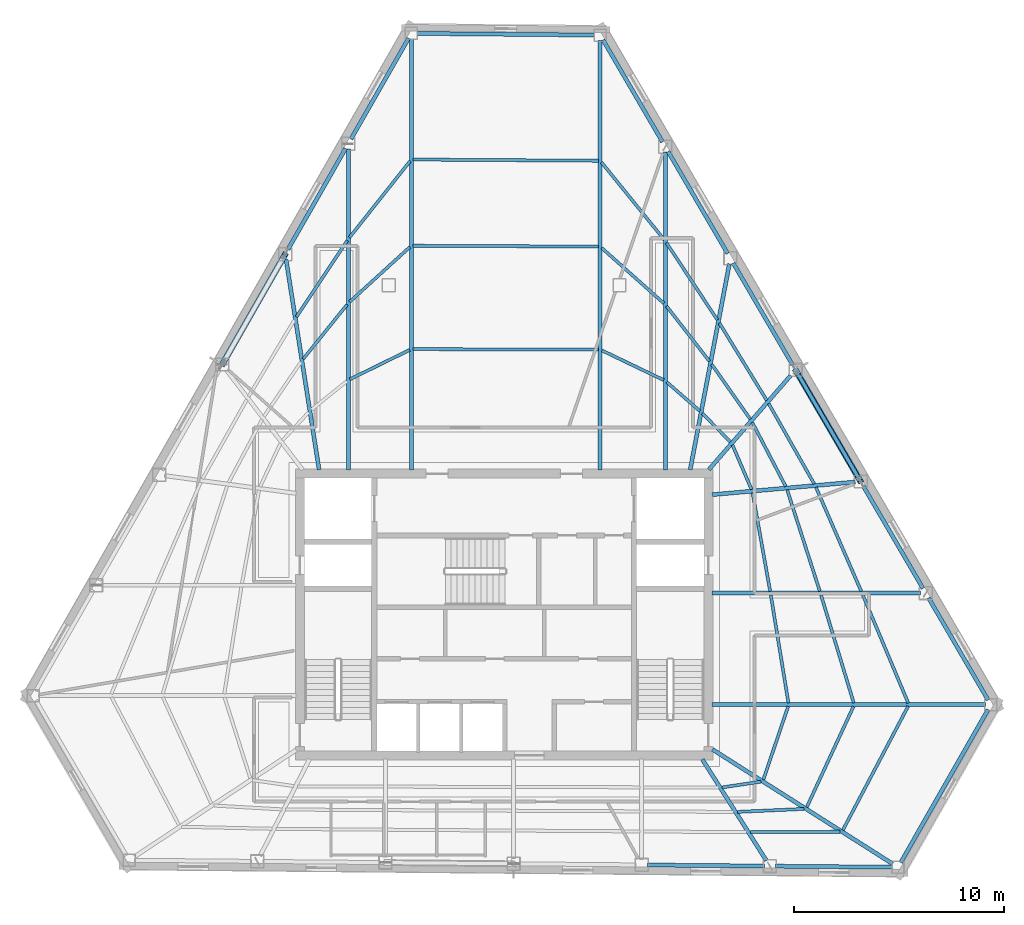
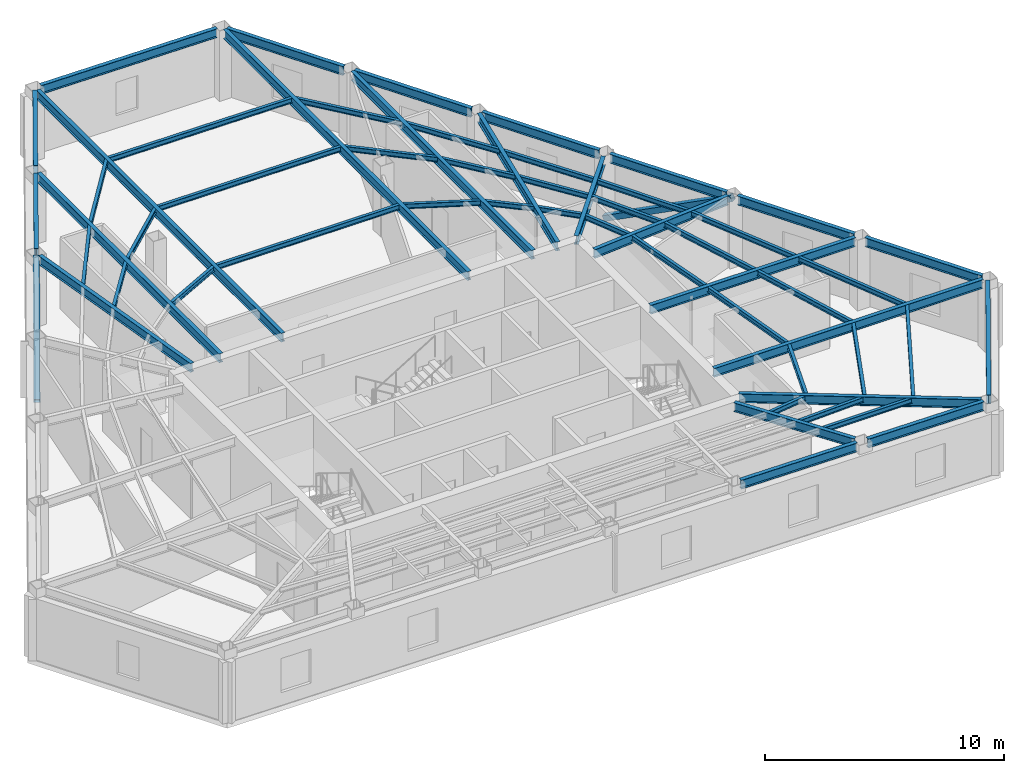
# One storey, part 2 of 11: 56 beams, 2 members.
"""IFC4 building model written with IfcOpenShell, lengths in metres."""

from ifc_helpers import new_model, si_unit, direction, frame, origin, origin_2d, place, context, subcontext, project, spatial, hollow_rectangle, i_section, extrude, material, material_profile, profile_set, type_object, element, save


model = new_model("IFC4")

# Units and contexts
model_context = context("Model", 3, precision=1e-05, world=origin(), true_north=direction((0.0, 1.0)))
body_context = subcontext(model_context, "Body", "Model", "MODEL_VIEW")
ifc_project = project(units=[si_unit("LENGTHUNIT", "METRE"), si_unit("AREAUNIT", "SQUARE_METRE"), si_unit("VOLUMEUNIT", "CUBIC_METRE"), si_unit("PLANEANGLEUNIT", "RADIAN"), si_unit("MASSUNIT", "GRAM", prefix="KILO")], contexts=[model_context])

# Site, building, storey
site_placement = place(None, origin())
site = spatial("IfcSite", under=ifc_project, at=site_placement, CompositionType="ELEMENT")
building_placement = place(site_placement, origin())
building = spatial("IfcBuilding", under=site, at=building_placement, Name="Kavelnor Concourse Tower", CompositionType="ELEMENT")
storey_placement = place(building_placement, frame((0.0, 0.0, 184.25)))
storey = spatial("IfcBuildingStorey", under=building, at=storey_placement, Name="L46", CompositionType="ELEMENT", Elevation=184.25)

# Beams
ifc_material = material(Name="Steel Grade 350", Category="steel")
ifc_material_profile_1 = material_profile(ifc_material, i_section(OverallWidth=0.14599609375, OverallDepth=0.256103515625, WebThickness=0.00634765625, FlangeThickness=0.010986328125, at=origin_2d()), Name="250UB37")
ifc_profile_set_1 = profile_set([ifc_material_profile_1], Name="Steel Grade 350")
beam_type_1 = type_object("IfcBeamType", Name="BM-JOIST-250", PredefinedType="JOIST", material=ifc_profile_set_1)
beam_1_placement = place(storey_placement, frame((48.389892578125, 7.85595703125, 3.471923828125), z_axis=(0.989227943882, 0.146383315454, 0.0), x_axis=(-0.146383315454, 0.989227943882, 0.0)))
element("IfcBeam", 1, at=beam_1_placement, inside=storey, type_object=beam_type_1, Name="L46 Secondary Composite Joist 07-1", PredefinedType="JOIST", context=body_context, shape_type="SweptSolid", body=[
    extrude(i_section(OverallWidth=0.14599609375, OverallDepth=0.256103515625, WebThickness=0.00634765625, FlangeThickness=0.010986328125, at=origin_2d()), origin(), (0.0, 0.0, 1.0), 1.873046875),
])
beam_2_placement = place(storey_placement, frame((49.12353515625, 6.689208984375, 3.471923828125), z_axis=(0.999016375908, 0.044342763421, 0.0), x_axis=(-0.044342763421, 0.999016375908, 0.0)))
element("IfcBeam", 2, at=beam_2_placement, inside=storey, type_object=beam_type_1, Name="L46 Secondary Composite Joist 07-2", PredefinedType="JOIST", context=body_context, shape_type="SweptSolid", body=[
    extrude(i_section(OverallWidth=0.14599609375, OverallDepth=0.256103515625, WebThickness=0.00634765625, FlangeThickness=0.010986328125, at=origin_2d()), origin(), (0.0, 0.0, 1.0), 3.182373046875),
])
beam_3_placement = place(storey_placement, frame((49.734619140625, 5.720703125, 3.471923828125), z_axis=(0.999986266396, 0.005240898742, 0.0), x_axis=(-0.005240898742, 0.999986266396, 0.0)))
element("IfcBeam", 3, at=beam_3_placement, inside=storey, type_object=beam_type_1, Name="L46 Secondary Composite Joist 07-3", PredefinedType="JOIST", context=body_context, shape_type="SweptSolid", body=[
    extrude(i_section(OverallWidth=0.14599609375, OverallDepth=0.256103515625, WebThickness=0.00634765625, FlangeThickness=0.010986328125, at=origin_2d()), origin(), (0.0, 0.0, 1.0), 4.28564453125),
])
beam_4_placement = place(storey_placement, frame((50.359130859375, 8.2275390625, 3.471923828125), z_axis=(0.320581527689, 0.947220926766, 0.0), x_axis=(-0.947220926766, 0.320581527689, 0.0)))
element("IfcBeam", 4, at=beam_4_placement, inside=storey, type_object=beam_type_1, Name="L46 Secondary Composite Joist 08-1", PredefinedType="JOIST", context=body_context, shape_type="SweptSolid", body=[
    extrude(i_section(OverallWidth=0.14599609375, OverallDepth=0.256103515625, WebThickness=0.00634765625, FlangeThickness=0.010986328125, at=origin_2d()), origin(), (0.0, 0.0, 1.0), 3.681396484375),
])
beam_5_placement = place(storey_placement, frame((52.42919921875, 6.9150390625, 3.471923828125), z_axis=(0.420756326642, 0.907173695381, 0.0), x_axis=(-0.907173695381, 0.420756326642, 0.0)))
element("IfcBeam", 5, at=beam_5_placement, inside=storey, type_object=beam_type_1, Name="L46 Secondary Composite Joist 08-2", PredefinedType="JOIST", context=body_context, shape_type="SweptSolid", body=[
    extrude(i_section(OverallWidth=0.14599609375, OverallDepth=0.256103515625, WebThickness=0.00634765625, FlangeThickness=0.010986328125, at=origin_2d()), origin(), (0.0, 0.0, 1.0), 5.294677734375),
])
beam_6_placement = place(storey_placement, frame((54.150634765625, 5.822265625, 3.471923828125), z_axis=(0.466184079045, 0.884687744035, 0.0), x_axis=(-0.884687744035, 0.466184079045, 0.0)))
element("IfcBeam", 6, at=beam_6_placement, inside=storey, type_object=beam_type_1, Name="L46 Secondary Composite Joist 08-3", PredefinedType="JOIST", context=body_context, shape_type="SweptSolid", body=[
    extrude(i_section(OverallWidth=0.14599609375, OverallDepth=0.256103515625, WebThickness=0.00634765625, FlangeThickness=0.010986328125, at=origin_2d()), origin(), (0.0, 0.0, 1.0), 6.666748046875),
])
beam_7_placement = place(storey_placement, frame((51.553466796875, 11.88671875, 3.471923828125), z_axis=(-0.161209150441, 0.986920265175, 0.0), x_axis=(-0.986920265175, -0.161209150441, 0.0)))
element("IfcBeam", 7, at=beam_7_placement, inside=storey, type_object=beam_type_1, Name="L46 Secondary Composite Joist 09-1", PredefinedType="JOIST", context=body_context, shape_type="SweptSolid", body=[
    extrude(i_section(OverallWidth=0.14599609375, OverallDepth=0.256103515625, WebThickness=0.00634765625, FlangeThickness=0.010986328125, at=origin_2d()), origin(), (0.0, 0.0, 1.0), 5.214111328125),
])
beam_8_placement = place(storey_placement, frame((54.668701171875, 11.88427734375, 3.471923828125), z_axis=(-0.290367397807, 0.956915238822, 0.0), x_axis=(-0.956915238822, -0.290367397807, 0.0)))
element("IfcBeam", 8, at=beam_8_placement, inside=storey, type_object=beam_type_1, Name="L46 Secondary Composite Joist 09-2", PredefinedType="JOIST", context=body_context, shape_type="SweptSolid", body=[
    extrude(i_section(OverallWidth=0.14599609375, OverallDepth=0.256103515625, WebThickness=0.00634765625, FlangeThickness=0.010986328125, at=origin_2d()), origin(), (0.0, 0.0, 1.0), 5.3828125),
])
beam_9_placement = place(storey_placement, frame((57.265380859375, 11.881103515625, 3.471923828125), z_axis=(-0.387266616927, 0.921967769184, 0.0), x_axis=(-0.921967769184, -0.387266616927, 0.0)))
element("IfcBeam", 9, at=beam_9_placement, inside=storey, type_object=beam_type_1, Name="L46 Secondary Composite Joist 09-3", PredefinedType="JOIST", context=body_context, shape_type="SweptSolid", body=[
    extrude(i_section(OverallWidth=0.14599609375, OverallDepth=0.256103515625, WebThickness=0.00634765625, FlangeThickness=0.010986328125, at=origin_2d()), origin(), (0.0, 0.0, 1.0), 5.59375),
])
beam_10_placement = place(storey_placement, frame((50.682861328125, 17.2080078125, 3.471923828125), z_axis=(-0.175925472427, 0.98440348849, 0.0), x_axis=(-0.98440348849, -0.175925472427, 0.0)))
element("IfcBeam", 10, at=beam_10_placement, inside=storey, type_object=beam_type_1, Name="L46 Secondary Composite Joist 10-1", PredefinedType="JOIST", context=body_context, shape_type="SweptSolid", body=[
    extrude(i_section(OverallWidth=0.14599609375, OverallDepth=0.256103515625, WebThickness=0.00634765625, FlangeThickness=0.010986328125, at=origin_2d()), origin(), (0.0, 0.0, 1.0), 4.7626953125),
])
beam_11_placement = place(storey_placement, frame((53.052734375, 17.205078125, 3.471923828125), z_axis=(-0.306790920169, 0.951776933584, 0.0), x_axis=(-0.951776933584, -0.306790920169, 0.0)))
element("IfcBeam", 11, at=beam_11_placement, inside=storey, type_object=beam_type_1, Name="L46 Secondary Composite Joist 10-2", PredefinedType="JOIST", context=body_context, shape_type="SweptSolid", body=[
    extrude(i_section(OverallWidth=0.14599609375, OverallDepth=0.256103515625, WebThickness=0.00634765625, FlangeThickness=0.010986328125, at=origin_2d()), origin(), (0.0, 0.0, 1.0), 5.084228515625),
])
beam_12_placement = place(storey_placement, frame((55.029052734375, 17.201904296875, 3.471923828125), z_axis=(-0.399508707587, 0.916729399857, 0.0), x_axis=(-0.916729399857, -0.399508707587, 0.0)))
element("IfcBeam", 12, at=beam_12_placement, inside=storey, type_object=beam_type_1, Name="L46 Secondary Composite Joist 10-3", PredefinedType="JOIST", context=body_context, shape_type="SweptSolid", body=[
    extrude(i_section(OverallWidth=0.14599609375, OverallDepth=0.256103515625, WebThickness=0.00634765625, FlangeThickness=0.010986328125, at=origin_2d()), origin(), (0.0, 0.0, 1.0), 5.41748046875),
])
beam_13_placement = place(storey_placement, frame((49.794189453125, 22.06591796875, 3.471923828125), z_axis=(-0.394098342006, 0.919068276478, 0.0), x_axis=(-0.919068276478, -0.394098342006, 0.0)))
element("IfcBeam", 13, at=beam_13_placement, inside=storey, type_object=beam_type_1, Name="L46 Secondary Composite Joist 11-1", PredefinedType="JOIST", context=body_context, shape_type="SweptSolid", body=[
    extrude(i_section(OverallWidth=0.14599609375, OverallDepth=0.256103515625, WebThickness=0.00634765625, FlangeThickness=0.010986328125, at=origin_2d()), origin(), (0.0, 0.0, 1.0), 2.303955078125),
])
beam_14_placement = place(storey_placement, frame((51.42431640625, 22.2080078125, 3.471923828125), z_axis=(-0.463096135984, 0.88630805527, 0.0), x_axis=(-0.88630805527, -0.463096135984, 0.0)))
element("IfcBeam", 14, at=beam_14_placement, inside=storey, type_object=beam_type_1, Name="L46 Secondary Composite Joist 11-2", PredefinedType="JOIST", context=body_context, shape_type="SweptSolid", body=[
    extrude(i_section(OverallWidth=0.14599609375, OverallDepth=0.256103515625, WebThickness=0.00634765625, FlangeThickness=0.010986328125, at=origin_2d()), origin(), (0.0, 0.0, 1.0), 3.4462890625),
])
beam_15_placement = place(storey_placement, frame((52.785400390625, 22.3271484375, 3.471923828125), z_axis=(-0.493356370439, 0.869827276962, 0.0), x_axis=(-0.869827276962, -0.493356370439, 0.0)))
element("IfcBeam", 15, at=beam_15_placement, inside=storey, type_object=beam_type_1, Name="L46 Secondary Composite Joist 11-3", PredefinedType="JOIST", context=body_context, shape_type="SweptSolid", body=[
    extrude(i_section(OverallWidth=0.14599609375, OverallDepth=0.256103515625, WebThickness=0.00634765625, FlangeThickness=0.010986328125, at=origin_2d()), origin(), (0.0, 0.0, 1.0), 4.4072265625),
])
beam_16_placement = place(storey_placement, frame((48.788818359375, 24.32861328125, 3.471923828125), z_axis=(-0.700669571073, 0.713485915889, 0.0), x_axis=(-0.713485915889, -0.700669571073, 0.0)))
element("IfcBeam", 16, at=beam_16_placement, inside=storey, type_object=beam_type_1, Name="L46 Secondary Composite Joist 12-1", PredefinedType="JOIST", context=body_context, shape_type="SweptSolid", body=[
    extrude(i_section(OverallWidth=0.14599609375, OverallDepth=0.256103515625, WebThickness=0.00634765625, FlangeThickness=0.010986328125, at=origin_2d()), origin(), (0.0, 0.0, 1.0), 1.905029296875),
])
beam_17_placement = place(storey_placement, frame((49.73583984375, 25.4140625, 3.471923828125), z_axis=(-0.57523488902, 0.8179882777, 0.0), x_axis=(-0.8179882777, -0.57523488902, 0.0)))
element("IfcBeam", 17, at=beam_17_placement, inside=storey, type_object=beam_type_1, Name="L46 Secondary Composite Joist 12-2", PredefinedType="JOIST", context=body_context, shape_type="SweptSolid", body=[
    extrude(i_section(OverallWidth=0.14599609375, OverallDepth=0.256103515625, WebThickness=0.00634765625, FlangeThickness=0.010986328125, at=origin_2d()), origin(), (0.0, 0.0, 1.0), 3.205322265625),
])
beam_18_placement = place(storey_placement, frame((50.5205078125, 26.31396484375, 3.471923828125), z_axis=(-0.52274753306, 0.852487546348, 0.0), x_axis=(-0.852487546348, -0.52274753306, 0.0)))
element("IfcBeam", 18, at=beam_18_placement, inside=storey, type_object=beam_type_1, Name="L46 Secondary Composite Joist 12-3", PredefinedType="JOIST", context=body_context, shape_type="SweptSolid", body=[
    extrude(i_section(OverallWidth=0.14599609375, OverallDepth=0.256103515625, WebThickness=0.00634765625, FlangeThickness=0.010986328125, at=origin_2d()), origin(), (0.0, 0.0, 1.0), 4.321044921875),
])
beam_19_placement = place(storey_placement, frame((47.32470703125, 25.809814453125, 3.471923828125), z_axis=(-0.753532081517, 0.657411136295, 0.0), x_axis=(-0.657411136295, -0.753532081517, 0.0)))
element("IfcBeam", 19, at=beam_19_placement, inside=storey, type_object=beam_type_1, Name="L46 Secondary Composite Joist 13-1", PredefinedType="JOIST", context=body_context, shape_type="SweptSolid", body=[
    extrude(i_section(OverallWidth=0.14599609375, OverallDepth=0.256103515625, WebThickness=0.00634765625, FlangeThickness=0.010986328125, at=origin_2d()), origin(), (0.0, 0.0, 1.0), 2.087890625),
])
beam_20_placement = place(storey_placement, frame((47.786376953125, 28.178955078125, 3.471923828125), z_axis=(-0.614757382172, 0.788716274122, 0.0), x_axis=(-0.788716274122, -0.614757382172, 0.0)))
element("IfcBeam", 20, at=beam_20_placement, inside=storey, type_object=beam_type_1, Name="L46 Secondary Composite Joist 13-2", PredefinedType="JOIST", context=body_context, shape_type="SweptSolid", body=[
    extrude(i_section(OverallWidth=0.14599609375, OverallDepth=0.256103515625, WebThickness=0.00634765625, FlangeThickness=0.010986328125, at=origin_2d()), origin(), (0.0, 0.0, 1.0), 3.330322265625),
])
beam_21_placement = place(storey_placement, frame((48.166259765625, 30.147705078125, 3.471923828125), z_axis=(-0.551159632026, 0.834399820245, 0.0), x_axis=(-0.834399820245, -0.551159632026, 0.0)))
element("IfcBeam", 21, at=beam_21_placement, inside=storey, type_object=beam_type_1, Name="L46 Secondary Composite Joist 13-3", PredefinedType="JOIST", context=body_context, shape_type="SweptSolid", body=[
    extrude(i_section(OverallWidth=0.14599609375, OverallDepth=0.256103515625, WebThickness=0.00634765625, FlangeThickness=0.010986328125, at=origin_2d()), origin(), (0.0, 0.0, 1.0), 4.4140625),
])
beam_22_placement = place(storey_placement, frame((45.604248046875, 27.279296875, 3.471923828125), z_axis=(-0.901546386745, 0.432682461566, 0.0), x_axis=(-0.432682461566, -0.901546386745, 0.0)))
element("IfcBeam", 22, at=beam_22_placement, inside=storey, type_object=beam_type_1, Name="L46 Secondary Composite Joist 14-1", PredefinedType="JOIST", context=body_context, shape_type="SweptSolid", body=[
    extrude(i_section(OverallWidth=0.14599609375, OverallDepth=0.256103515625, WebThickness=0.00634765625, FlangeThickness=0.010986328125, at=origin_2d()), origin(), (0.0, 0.0, 1.0), 3.265869140625),
])
beam_23_placement = place(storey_placement, frame((45.617919921875, 30.93505859375, 3.471923828125), z_axis=(-0.74653909745, 0.665341548364, 0.0), x_axis=(-0.665341548364, -0.74653909745, 0.0)))
element("IfcBeam", 23, at=beam_23_placement, inside=storey, type_object=beam_type_1, Name="L46 Secondary Composite Joist 14-2", PredefinedType="JOIST", context=body_context, shape_type="SweptSolid", body=[
    extrude(i_section(OverallWidth=0.14599609375, OverallDepth=0.256103515625, WebThickness=0.00634765625, FlangeThickness=0.010986328125, at=origin_2d()), origin(), (0.0, 0.0, 1.0), 3.98095703125),
])
beam_24_placement = place(storey_placement, frame((45.62841796875, 33.974365234375, 3.471923828125), z_axis=(-0.629580825631, 0.776934993418, 0.0), x_axis=(-0.776934993418, -0.629580825631, 0.0)))
element("IfcBeam", 24, at=beam_24_placement, inside=storey, type_object=beam_type_1, Name="L46 Secondary Composite Joist 14-3", PredefinedType="JOIST", context=body_context, shape_type="SweptSolid", body=[
    extrude(i_section(OverallWidth=0.14599609375, OverallDepth=0.256103515625, WebThickness=0.00634765625, FlangeThickness=0.010986328125, at=origin_2d()), origin(), (0.0, 0.0, 1.0), 4.75341796875),
])
for number, where, z_axis, x_axis, name in (
    (25, (42.49072265625, 28.731201171875, 3.471923828125), (-0.999996693772, 0.00257146747, 0.0), (-0.00257146747, -0.999996693772, 0.0), "L46 Secondary Composite Joist 15-1"),
    (26, (42.49072265625, 33.6435546875, 3.471923828125), (-0.999988691147, 0.004755794251, 0.0), (-0.004755794251, -0.999988691147, 0.0), "L46 Secondary Composite Joist 15-2"),
):
    element("IfcBeam", number, at=place(storey_placement, frame(where, z_axis=z_axis, x_axis=x_axis)), inside=storey, type_object=beam_type_1, Name=name, PredefinedType="JOIST", context=body_context, shape_type="SweptSolid", body=[
        extrude(i_section(OverallWidth=0.14599609375, OverallDepth=0.256103515625, WebThickness=0.00634765625, FlangeThickness=0.010986328125, at=origin_2d()), origin(), (0.0, 0.0, 1.0), 8.82958984375),
    ])
beam_25_placement = place(storey_placement, frame((42.49072265625, 37.737060546875, 3.471923828125), z_axis=(-0.999978165129, 0.006608272451, 0.0), x_axis=(-0.006608272451, -0.999978165129, 0.0)))
element("IfcBeam", 27, at=beam_25_placement, inside=storey, type_object=beam_type_1, Name="L46 Secondary Composite Joist 15-3", PredefinedType="JOIST", context=body_context, shape_type="SweptSolid", body=[
    extrude(i_section(OverallWidth=0.14599609375, OverallDepth=0.256103515625, WebThickness=0.00634765625, FlangeThickness=0.010986328125, at=origin_2d()), origin(), (0.0, 0.0, 1.0), 8.829833984375),
])
beam_26_placement = place(storey_placement, frame((33.4921875, 28.71484375, 3.471923828125), z_axis=(-0.897911769378, -0.440175481386, 0.0), x_axis=(0.440175481386, -0.897911769378, 0.0)))
element("IfcBeam", 28, at=beam_26_placement, inside=storey, type_object=beam_type_1, Name="L46 Secondary Composite Joist 16-1", PredefinedType="JOIST", context=body_context, shape_type="SweptSolid", body=[
    extrude(i_section(OverallWidth=0.14599609375, OverallDepth=0.256103515625, WebThickness=0.00634765625, FlangeThickness=0.010986328125, at=origin_2d()), origin(), (0.0, 0.0, 1.0), 3.169677734375),
])
beam_27_placement = place(storey_placement, frame((33.50634765625, 33.626220703125, 3.471923828125), z_axis=(-0.739459615464, -0.673200918818, 0.0), x_axis=(0.673200918818, -0.739459615464, 0.0)))
element("IfcBeam", 29, at=beam_27_placement, inside=storey, type_object=beam_type_1, Name="L46 Secondary Composite Joist 16-2", PredefinedType="JOIST", context=body_context, shape_type="SweptSolid", body=[
    extrude(i_section(OverallWidth=0.14599609375, OverallDepth=0.256103515625, WebThickness=0.00634765625, FlangeThickness=0.010986328125, at=origin_2d()), origin(), (0.0, 0.0, 1.0), 3.88720703125),
])
beam_28_placement = place(storey_placement, frame((33.516845703125, 37.726318359375, 3.471923828125), z_axis=(-0.6214945386, -0.783418495116, 0.0), x_axis=(0.783418495116, -0.6214945386, 0.0)))
element("IfcBeam", 30, at=beam_28_placement, inside=storey, type_object=beam_type_1, Name="L46 Secondary Composite Joist 16-3", PredefinedType="JOIST", context=body_context, shape_type="SweptSolid", body=[
    extrude(i_section(OverallWidth=0.14599609375, OverallDepth=0.256103515625, WebThickness=0.00634765625, FlangeThickness=0.010986328125, at=origin_2d()), origin(), (0.0, 0.0, 1.0), 4.658935546875),
])
beam_29_placement = place(storey_placement, frame((30.510009765625, 30.880126953125, 3.471923828125), z_axis=(-0.628139667074, -0.778100609592, 0.0), x_axis=(0.778100609592, -0.628139667074, 0.0)))
element("IfcBeam", 31, at=beam_29_placement, inside=storey, type_object=beam_type_1, Name="L46 Secondary Composite Joist 17-2", PredefinedType="JOIST", context=body_context, shape_type="SweptSolid", body=[
    extrude(i_section(OverallWidth=0.14599609375, OverallDepth=0.256103515625, WebThickness=0.00634765625, FlangeThickness=0.010986328125, at=origin_2d()), origin(), (0.0, 0.0, 1.0), 3.339111328125),
])
beam_30_placement = place(storey_placement, frame((30.5166015625, 33.9326171875, 3.471923828125), z_axis=(-0.554378228594, -0.832264849469, 0.0), x_axis=(0.832264849469, -0.554378228594, 0.0)))
element("IfcBeam", 32, at=beam_30_placement, inside=storey, type_object=beam_type_1, Name="L46 Secondary Composite Joist 17-3", PredefinedType="JOIST", context=body_context, shape_type="SweptSolid", body=[
    extrude(i_section(OverallWidth=0.14599609375, OverallDepth=0.256103515625, WebThickness=0.00634765625, FlangeThickness=0.010986328125, at=origin_2d()), origin(), (0.0, 0.0, 1.0), 4.375244140625),
])
ifc_material_profile_2 = material_profile(ifc_material, i_section(OverallWidth=0.18994140625, OverallDepth=0.4541015625, WebThickness=0.008544921875, FlangeThickness=0.0126953125, at=origin_2d()), Name="460UB67")
ifc_profile_set_2 = profile_set([ifc_material_profile_2], Name="Steel Grade 350")
beam_type_2 = type_object("IfcBeamType", Name="BM-PRIMARY-460", PredefinedType="BEAM", material=ifc_profile_set_2)
beam_31_placement = place(storey_placement, frame((33.572265625, 23.0, 3.373046875), z_axis=(0.0, 1.0, 0.0), x_axis=(-1.0, 0.0, 0.0)))
element("IfcBeam", 33, at=beam_31_placement, inside=storey, type_object=beam_type_2, Name="L46 Primary Floor Girder F0-B0", PredefinedType="BEAM", context=body_context, shape_type="SweptSolid", body=[
    extrude(i_section(OverallWidth=0.18994140625, OverallDepth=0.4541015625, WebThickness=0.008544921875, FlangeThickness=0.0126953125, at=origin_2d()), origin(), (0.0, 0.0, 1.0), 20.550048828125),
])
beam_32_placement = place(storey_placement, frame((30.56591796875, 23.0, 3.373046875), z_axis=(0.0, 1.0, 0.0), x_axis=(-1.0, 0.0, 0.0)))
element("IfcBeam", 34, at=beam_32_placement, inside=storey, type_object=beam_type_2, Name="L46 Primary Floor Girder F0-B1", PredefinedType="BEAM", context=body_context, shape_type="SweptSolid", body=[
    extrude(i_section(OverallWidth=0.18994140625, OverallDepth=0.4541015625, WebThickness=0.008544921875, FlangeThickness=0.0126953125, at=origin_2d()), origin(), (0.0, 0.0, 1.0), 15.287109375),
])
beam_33_placement = place(storey_placement, frame((29.17578125, 23.00048828125, 3.373046875), z_axis=(-0.155226092752, 0.987878970385, 0.0), x_axis=(-0.987878970385, -0.155226092752, 0.0)))
element("IfcBeam", 35, at=beam_33_placement, inside=storey, type_object=beam_type_2, Name="L46 Primary Floor Girder F0-B2", PredefinedType="BEAM", context=body_context, shape_type="SweptSolid", body=[
    extrude(i_section(OverallWidth=0.18994140625, OverallDepth=0.4541015625, WebThickness=0.008544921875, FlangeThickness=0.0126953125, at=origin_2d()), origin(), (0.0, 0.0, 1.0), 10.146240234375),
])
beam_34_placement = place(storey_placement, frame((47.44677734375, 9.19384765625, 3.373046875), z_axis=(0.534829281869, -0.844960140631, 0.0), x_axis=(0.844960140631, 0.534829281869, 0.0)))
element("IfcBeam", 36, at=beam_34_placement, inside=storey, type_object=beam_type_2, Name="L46 Primary Floor Girder F1-B5", PredefinedType="BEAM", context=body_context, shape_type="SweptSolid", body=[
    extrude(i_section(OverallWidth=0.18994140625, OverallDepth=0.4541015625, WebThickness=0.008544921875, FlangeThickness=0.0126953125, at=origin_2d()), origin(), (0.0, 0.0, 1.0), 5.709716796875),
])
beam_35_placement = place(storey_placement, frame((47.92626953125, 9.67041015625, 3.373046875), z_axis=(0.844133513898, -0.536133015878, 0.0), x_axis=(0.536133015878, 0.844133513898, 0.0)))
element("IfcBeam", 37, at=beam_35_placement, inside=storey, type_object=beam_type_2, Name="L46 Primary Floor Girder F1-B6", PredefinedType="BEAM", context=body_context, shape_type="SweptSolid", body=[
    extrude(i_section(OverallWidth=0.18994140625, OverallDepth=0.4541015625, WebThickness=0.008544921875, FlangeThickness=0.0126953125, at=origin_2d()), origin(), (0.0, 0.0, 1.0), 10.173095703125),
])
beam_36_placement = place(storey_placement, frame((47.919921875, 11.799072265625, 3.373046875), z_axis=(1.0, 0.0, 0.0), x_axis=(0.0, 1.0, 0.0)))
element("IfcBeam", 38, at=beam_36_placement, inside=storey, type_object=beam_type_2, Name="L46 Primary Floor Girder F2-B0", PredefinedType="BEAM", context=body_context, shape_type="SweptSolid", body=[
    extrude(i_section(OverallWidth=0.18994140625, OverallDepth=0.4541015625, WebThickness=0.008544921875, FlangeThickness=0.0126953125, at=origin_2d()), origin(), (0.0, 0.0, 1.0), 13.02783203125),
])
beam_37_placement = place(storey_placement, frame((47.919921875, 17.120361328125, 3.373046875), z_axis=(1.0, 0.0, 0.0), x_axis=(0.0, 1.0, 0.0)))
element("IfcBeam", 39, at=beam_37_placement, inside=storey, type_object=beam_type_2, Name="L46 Primary Floor Girder F2-B1", PredefinedType="BEAM", context=body_context, shape_type="SweptSolid", body=[
    extrude(i_section(OverallWidth=0.18994140625, OverallDepth=0.4541015625, WebThickness=0.008544921875, FlangeThickness=0.0126953125, at=origin_2d()), origin(), (0.0, 0.0, 1.0), 9.923095703125),
])
beam_38_placement = place(storey_placement, frame((47.920166015625, 21.815185546875, 3.373046875), z_axis=(0.996105287463, 0.088171743138, 0.0), x_axis=(-0.088171743138, 0.996105287463, 0.0)))
element("IfcBeam", 40, at=beam_38_placement, inside=storey, type_object=beam_type_2, Name="L46 Primary Floor Girder F2-B2", PredefinedType="BEAM", context=body_context, shape_type="SweptSolid", body=[
    extrude(i_section(OverallWidth=0.18994140625, OverallDepth=0.4541015625, WebThickness=0.008544921875, FlangeThickness=0.0126953125, at=origin_2d()), origin(), (0.0, 0.0, 1.0), 6.8447265625),
])
beam_39_placement = place(storey_placement, frame((47.75927734375, 23.009765625, 3.373046875), z_axis=(0.656259069004, 0.754535641537, 0.0), x_axis=(-0.754535641537, 0.656259069004, 0.0)))
element("IfcBeam", 41, at=beam_39_placement, inside=storey, type_object=beam_type_2, Name="L46 Primary Floor Girder F2-B3", PredefinedType="BEAM", context=body_context, shape_type="SweptSolid", body=[
    extrude(i_section(OverallWidth=0.18994140625, OverallDepth=0.4541015625, WebThickness=0.008544921875, FlangeThickness=0.0126953125, at=origin_2d()), origin(), (0.0, 0.0, 1.0), 5.942138671875),
])
beam_40_placement = place(storey_placement, frame((46.867919921875, 23.000732421875, 3.373046875), z_axis=(0.187135667376, 0.982334078609, 0.0), x_axis=(-0.982334078609, 0.187135667376, 0.0)))
element("IfcBeam", 42, at=beam_40_placement, inside=storey, type_object=beam_type_2, Name="L46 Primary Floor Girder F2-B4", PredefinedType="BEAM", context=body_context, shape_type="SweptSolid", body=[
    extrude(i_section(OverallWidth=0.18994140625, OverallDepth=0.4541015625, WebThickness=0.008544921875, FlangeThickness=0.0126953125, at=origin_2d()), origin(), (0.0, 0.0, 1.0), 10.0),
])
beam_41_placement = place(storey_placement, frame((45.684326171875, 23.0, 3.373046875), z_axis=(0.0, 1.0, 0.0), x_axis=(-1.0, 0.0, 0.0)))
element("IfcBeam", 43, at=beam_41_placement, inside=storey, type_object=beam_type_2, Name="L46 Primary Floor Girder F2-B5", PredefinedType="BEAM", context=body_context, shape_type="SweptSolid", body=[
    extrude(i_section(OverallWidth=0.18994140625, OverallDepth=0.4541015625, WebThickness=0.008544921875, FlangeThickness=0.0126953125, at=origin_2d()), origin(), (0.0, 0.0, 1.0), 15.14599609375),
])
beam_42_placement = place(storey_placement, frame((42.57958984375, 23.0, 3.373046875), z_axis=(0.0, 1.0, 0.0), x_axis=(-1.0, 0.0, 0.0)))
element("IfcBeam", 44, at=beam_42_placement, inside=storey, type_object=beam_type_2, Name="L46 Primary Floor Girder F2-B6", PredefinedType="BEAM", context=body_context, shape_type="SweptSolid", body=[
    extrude(i_section(OverallWidth=0.18994140625, OverallDepth=0.4541015625, WebThickness=0.008544921875, FlangeThickness=0.0126953125, at=origin_2d()), origin(), (0.0, 0.0, 1.0), 20.46728515625),
])
ifc_material_profile_3 = material_profile(ifc_material, i_section(OverallWidth=0.19091796875, OverallDepth=0.4599609375, WebThickness=0.010009765625, FlangeThickness=0.01611328125, at=origin_2d()), Name="460UB82")
ifc_profile_set_3 = profile_set([ifc_material_profile_3], Name="Steel Grade 350")
beam_type_3 = type_object("IfcBeamType", Name="BM-SPANDREL-Z3", PredefinedType="SPANDREL", material=ifc_profile_set_3)
beam_43_placement = place(storey_placement, frame((33.44091796875, 43.579833984375, 3.3701171875), z_axis=(-0.496020090717, -0.868311044272, 0.0), x_axis=(0.868311044272, -0.496020090717, 0.0)))
element("IfcBeam", 45, at=beam_43_placement, inside=storey, type_object=beam_type_3, Name="L46 Perimeter Tube Spandrel Beam F0-B0", PredefinedType="SPANDREL", context=body_context, shape_type="SweptSolid", body=[
    extrude(i_section(OverallWidth=0.19091796875, OverallDepth=0.4599609375, WebThickness=0.010009765625, FlangeThickness=0.01611328125, at=origin_2d()), origin(), (0.0, 0.0, 1.0), 5.53076171875),
])
beam_44_placement = place(storey_placement, frame((30.4345703125, 38.317138671875, 3.3701171875), z_axis=(-0.495967797623, -0.868340914457, 0.0), x_axis=(0.868340914457, -0.495967797623, 0.0)))
element("IfcBeam", 46, at=beam_44_placement, inside=storey, type_object=beam_type_3, Name="L46 Perimeter Tube Spandrel Beam F0-B1", PredefinedType="SPANDREL", context=body_context, shape_type="SweptSolid", body=[
    extrude(i_section(OverallWidth=0.19091796875, OverallDepth=0.4599609375, WebThickness=0.010009765625, FlangeThickness=0.01611328125, at=origin_2d()), origin(), (0.0, 0.0, 1.0), 5.531005859375),
])
beam_45_placement = place(storey_placement, frame((42.314697265625, 43.729736328125, 3.3701171875), z_axis=(-0.99995780467, 0.009186342002, 0.0), x_axis=(-0.009186342002, -0.99995780467, 0.0)))
element("IfcBeam", 47, at=beam_45_placement, inside=storey, type_object=beam_type_3, Name="L46 Chamfer Facet Spandrel Beam C0", PredefinedType="SPANDREL", context=body_context, shape_type="SweptSolid", body=[
    extrude(i_section(OverallWidth=0.19091796875, OverallDepth=0.4599609375, WebThickness=0.010009765625, FlangeThickness=0.01611328125, at=origin_2d()), origin(), (0.0, 0.0, 1.0), 8.477783203125),
])
for number, where, z_axis, x_axis, name in (
    (48, (44.8232421875, 4.156982421875, 3.3701171875), (0.99995780445, -0.009186365936, 0.0), (0.009186365936, 0.99995780445, 0.0), "L46 Perimeter Tube Spandrel Beam F1-B4"),
    (49, (50.93408203125, 4.100830078125, 3.3701171875), (0.999958205331, -0.009142625002, 0.0), (0.009142625002, 0.999958205331, 0.0), "L46 Perimeter Tube Spandrel Beam F1-B5"),
):
    element("IfcBeam", number, at=place(storey_placement, frame(where, z_axis=z_axis, x_axis=x_axis)), inside=storey, type_object=beam_type_3, Name=name, PredefinedType="SPANDREL", context=body_context, shape_type="SweptSolid", body=[
        extrude(i_section(OverallWidth=0.19091796875, OverallDepth=0.4599609375, WebThickness=0.010009765625, FlangeThickness=0.01611328125, at=origin_2d()), origin(), (0.0, 0.0, 1.0), 5.5810546875),
    ])
beam_46_placement = place(storey_placement, frame((61.07421875, 12.02783203125, 3.3701171875), z_axis=(-0.50393033037, 0.863744303676, 0.0), x_axis=(-0.863744303676, -0.50393033037, 0.0)))
element("IfcBeam", 50, at=beam_46_placement, inside=storey, type_object=beam_type_3, Name="L46 Perimeter Tube Spandrel Beam F2-B0", PredefinedType="SPANDREL", context=body_context, shape_type="SweptSolid", body=[
    extrude(i_section(OverallWidth=0.19091796875, OverallDepth=0.4599609375, WebThickness=0.010009765625, FlangeThickness=0.01611328125, at=origin_2d()), origin(), (0.0, 0.0, 1.0), 5.631103515625),
])
for number, where, z_axis, x_axis, name in (
    (51, (57.969482421875, 17.349365234375, 3.3701171875), (-0.503949202523, 0.863733292907, 0.0), (-0.863733292907, -0.503949202523, 0.0), "L46 Perimeter Tube Spandrel Beam F2-B1"),
    (52, (54.864990234375, 22.670654296875, 3.3701171875), (-0.503981548004, 0.863714419974, 0.0), (-0.863714419974, -0.503981548004, 0.0), "L46 Perimeter Tube Spandrel Beam F2-B2"),
    (53, (51.76025390625, 27.9921875, 3.3701171875), (-0.503949202523, 0.863733292907, 0.0), (-0.863733292907, -0.503949202523, 0.0), "L46 Perimeter Tube Spandrel Beam F2-B3"),
    (54, (48.655517578125, 33.3134765625, 3.3701171875), (-0.503949202523, 0.863733292907, 0.0), (-0.863733292907, -0.503949202523, 0.0), "L46 Perimeter Tube Spandrel Beam F2-B4"),
    (55, (45.55078125, 38.635009765625, 3.3701171875), (-0.503949202523, 0.863733292907, 0.0), (-0.863733292907, -0.503949202523, 0.0), "L46 Perimeter Tube Spandrel Beam F2-B5"),
):
    element("IfcBeam", number, at=place(storey_placement, frame(where, z_axis=z_axis, x_axis=x_axis)), inside=storey, type_object=beam_type_3, Name=name, PredefinedType="SPANDREL", context=body_context, shape_type="SweptSolid", body=[
        extrude(i_section(OverallWidth=0.19091796875, OverallDepth=0.4599609375, WebThickness=0.010009765625, FlangeThickness=0.01611328125, at=origin_2d()), origin(), (0.0, 0.0, 1.0), 5.630859375),
    ])
beam_47_placement = place(storey_placement, frame((56.911376953125, 4.27734375, 3.3701171875), z_axis=(0.496001166434, 0.868321854439, 0.0), x_axis=(-0.868321854439, 0.496001166434, 0.0)))
element("IfcBeam", 56, at=beam_47_placement, inside=storey, type_object=beam_type_3, Name="L46 Chamfer Facet Spandrel Beam C2", PredefinedType="SPANDREL", context=body_context, shape_type="SweptSolid", body=[
    extrude(i_section(OverallWidth=0.19091796875, OverallDepth=0.4599609375, WebThickness=0.010009765625, FlangeThickness=0.01611328125, at=origin_2d()), origin(), (0.0, 0.0, 1.0), 8.397216796875),
])

# Members
ifc_material_profile_4 = material_profile(ifc_material, hollow_rectangle(XDim=0.280029296875, YDim=0.280029296875, WallThickness=0.01611328125, at=origin_2d()), Name="SHS 280x280x16")
ifc_profile_set_4 = profile_set([ifc_material_profile_4], Name="Steel Grade 350")
member_type = type_object("IfcMemberType", Name="MBR-TUBE-DIAG-Z3", PredefinedType="BRACE", material=ifc_profile_set_4)
member_1_placement = place(storey_placement, frame((24.5537109375, 28.021484375, 0.219970703125), z_axis=(0.440098592291, 0.770467412932, 0.461186724302), x_axis=(-0.868324934347, 0.495995774569, 0.0)))
element("IfcMember", 57, at=member_1_placement, inside=storey, type_object=member_type, Name="L46 Framed-Tube Bracing Diagonal F0-B2", PredefinedType="BRACE", context=body_context, shape_type="SweptSolid", body=[
    extrude(hollow_rectangle(XDim=0.280029296875, YDim=0.280029296875, WallThickness=0.01611328125, at=origin_2d()), origin(), (0.0, 0.0, 1.0), 6.83056640625),
])
member_2_placement = place(storey_placement, frame((51.893798828125, 27.76318359375, 0.219970703125), z_axis=(0.448668147298, -0.769044584658, 0.455266208288), x_axis=(0.863750153185, 0.503920304088, 0.0)))
element("IfcMember", 58, at=member_2_placement, inside=storey, type_object=member_type, Name="L46 Framed-Tube Bracing Diagonal F2-B2", PredefinedType="BRACE", context=body_context, shape_type="SweptSolid", body=[
    extrude(hollow_rectangle(XDim=0.280029296875, YDim=0.280029296875, WallThickness=0.01611328125, at=origin_2d()), origin(), (0.0, 0.0, 1.0), 6.91943359375),
])

save(model, "model.ifc")
